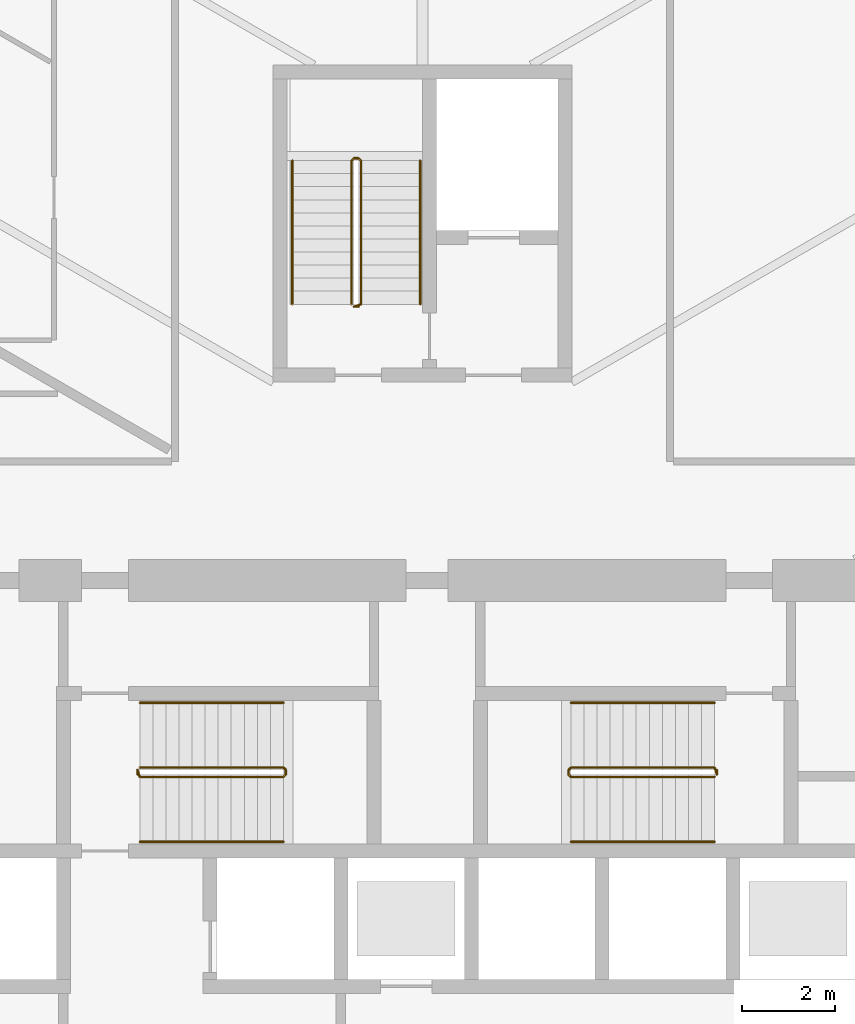
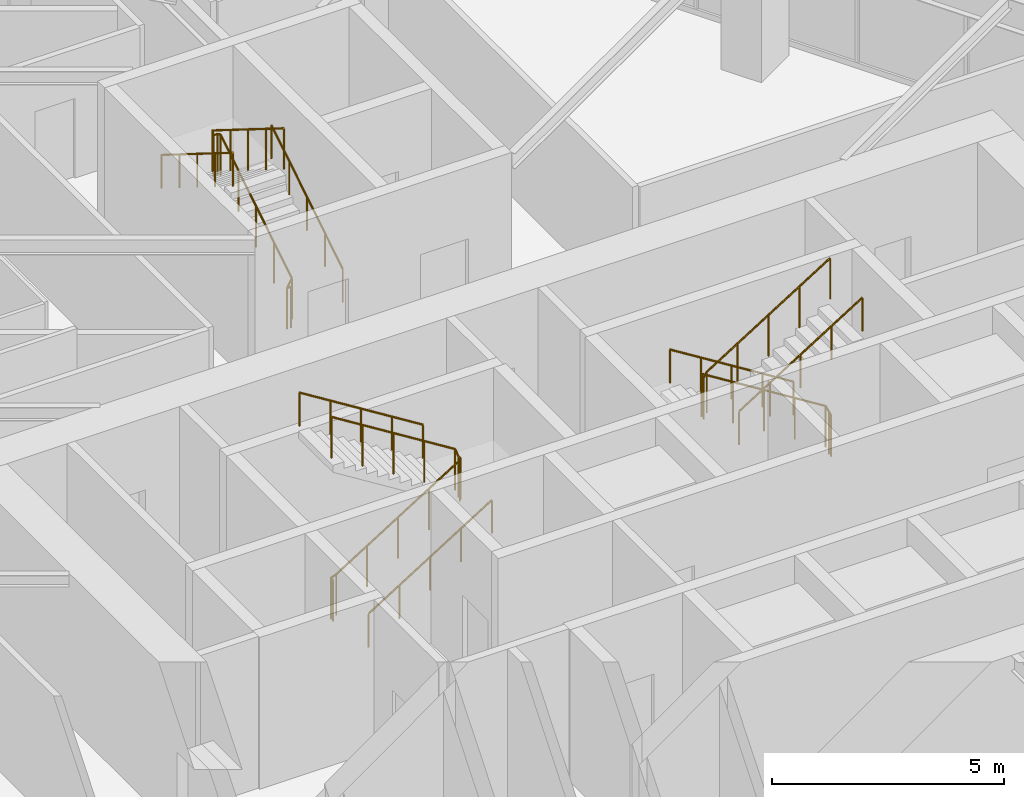
# One storey, part 25 of 26: 9 railings.
"""IFC4 building model written with IfcOpenShell, lengths in metres."""

from ifc_helpers import new_model, si_unit, direction, frame, origin, origin_2d, place, context, subcontext, project, spatial, circle, extrude, material, type_object, element, save


model = new_model("IFC4")

# Units and contexts
model_context = context("Model", 3, precision=1e-05, world=origin(), true_north=direction((0.0, 1.0)))
body_context = subcontext(model_context, "Body", "Model", "MODEL_VIEW")
ifc_project = project(units=[si_unit("LENGTHUNIT", "METRE"), si_unit("AREAUNIT", "SQUARE_METRE"), si_unit("VOLUMEUNIT", "CUBIC_METRE"), si_unit("PLANEANGLEUNIT", "RADIAN"), si_unit("MASSUNIT", "GRAM", prefix="KILO")], contexts=[model_context])

# Site, building, storey
site_placement = place(None, origin())
site = spatial("IfcSite", under=ifc_project, at=site_placement, CompositionType="ELEMENT")
building_placement = place(site_placement, origin())
building = spatial("IfcBuilding", under=site, at=building_placement, Name="Firuza Gate Tower and Library", CompositionType="ELEMENT")
storey_placement = place(building_placement, frame((0.0, 0.0, 77.800048828125)))
storey = spatial("IfcBuildingStorey", under=building, at=storey_placement, Name="L17", CompositionType="ELEMENT", Elevation=77.800048828125)

# Railings
ifc_material_1 = material(Name="Steel S355", Category="steel")
railing_type_1 = type_object("IfcRailingType", Name="Stair guard 1100", PredefinedType="GUARDRAIL", material=ifc_material_1)
railing_1_placement = place(storey_placement, frame((68.889892578125, 79.389892578125, 0.0)))
element("IfcRailing", 1, at=railing_1_placement, inside=storey, type_object=railing_type_1, Name="L17 ST1 stair guard 1", PredefinedType="GUARDRAIL", context=body_context, shape_type="SweptSolid", body=[
    extrude(circle(Radius=0.02392578125, at=origin_2d()), frame((0.0, 0.0, 1.076171875), z_axis=(0.0, 1.0, 0.0), x_axis=(-1.0, 0.0, 0.0)), (0.0, 0.0, 1.0), 0.10009765625),
    extrude(circle(Radius=0.02392578125, at=origin_2d()), frame((0.0, 0.10009765625, 1.076171875), z_axis=(0.21222055169, -0.635626432867, 0.742254319813), x_axis=(0.948528701346, 0.316691178788, 0.0)), (0.0, 0.0, 1.0), 0.23583984375),
    extrude(circle(Radius=0.02392578125, at=origin_2d()), frame((0.050048828125, -0.0498046875, 1.2509765625), z_axis=(0.848028513186, 0.0, 0.529950602248), x_axis=(0.0, 1.0, 0.0)), (0.0, 0.0, 1.0), 3.632080078125),
    extrude(circle(Radius=0.02392578125, at=origin_2d()), frame((3.130126953125, -0.0498046875, 3.17578125), z_axis=(0.708833529934, 0.705375805398, 0.0), x_axis=(-0.705375805398, 0.708833529934, 0.0)), (0.0, 0.0, 1.0), 0.070556640625),
    extrude(circle(Radius=0.02392578125, at=origin_2d()), frame((3.18017578125, 0.0, 3.17578125), z_axis=(0.0, 1.0, 0.0), x_axis=(-1.0, 0.0, 0.0)), (0.0, 0.0, 1.0), 0.10009765625),
    extrude(circle(Radius=0.02392578125, at=origin_2d()), frame((3.18017578125, 0.10009765625, 3.17578125), z_axis=(-0.265065253269, 0.265065253269, 0.927081885822), x_axis=(-0.707106781187, -0.707106781187, 0.0)), (0.0, 0.0, 1.0), 0.188720703125),
    extrude(circle(Radius=0.02392578125, at=origin_2d()), frame((3.130126953125, 0.150146484375, 3.35107421875), z_axis=(-0.847998304005, 0.0, 0.529998940003), x_axis=(0.0, -1.0, 0.0)), (0.0, 0.0, 1.0), 3.632080078125),
    extrude(circle(Radius=0.02099609375, at=origin_2d()), origin(), (0.0, 0.0, 1.0), 1.052001953125),
    extrude(circle(Radius=0.02099609375, at=origin_2d()), frame((0.0, 0.10009765625, 0.0)), (0.0, 0.0, 1.0), 1.052001953125),
    extrude(circle(Radius=0.02099609375, at=origin_2d()), frame((0.050048828125, -0.0498046875, 0.175048828125)), (0.0, 0.0, 1.0), 1.052001953125),
    extrude(circle(Radius=0.02099609375, at=origin_2d()), frame((0.820068359375, -0.0498046875, 0.65625)), (0.0, 0.0, 1.0), 1.052001953125),
    extrude(circle(Radius=0.02099609375, at=origin_2d()), frame((1.590087890625, -0.0498046875, 1.137451171875)), (0.0, 0.0, 1.0), 1.052001953125),
    extrude(circle(Radius=0.02099609375, at=origin_2d()), frame((2.360107421875, -0.0498046875, 1.61865234375)), (0.0, 0.0, 1.0), 1.052001953125),
    extrude(circle(Radius=0.02099609375, at=origin_2d()), frame((3.130126953125, -0.0498046875, 2.099853515625)), (0.0, 0.0, 1.0), 1.052001953125),
    extrude(circle(Radius=0.02099609375, at=origin_2d()), frame((3.18017578125, 0.0, 2.099853515625)), (0.0, 0.0, 1.0), 1.052001953125),
    extrude(circle(Radius=0.02099609375, at=origin_2d()), frame((3.18017578125, 0.10009765625, 2.099853515625)), (0.0, 0.0, 1.0), 1.052001953125),
    extrude(circle(Radius=0.02099609375, at=origin_2d()), frame((3.130126953125, 0.150146484375, 2.27490234375)), (0.0, 0.0, 1.0), 1.052001953125),
    extrude(circle(Radius=0.02099609375, at=origin_2d()), frame((2.360107421875, 0.150146484375, 2.756103515625)), (0.0, 0.0, 1.0), 1.052001953125),
    extrude(circle(Radius=0.02099609375, at=origin_2d()), frame((1.590087890625, 0.150146484375, 3.2373046875)), (0.0, 0.0, 1.0), 1.052001953125),
    extrude(circle(Radius=0.02099609375, at=origin_2d()), frame((0.820068359375, 0.150146484375, 3.71875)), (0.0, 0.0, 1.0), 1.052001953125),
    extrude(circle(Radius=0.02099609375, at=origin_2d()), frame((0.050048828125, 0.150146484375, 4.199951171875)), (0.0, 0.0, 1.0), 1.052001953125),
])
railing_2_placement = place(storey_placement, frame((81.31005859375, 79.489990234375, 0.0)))
element("IfcRailing", 2, at=railing_2_placement, inside=storey, type_object=railing_type_1, Name="L17 ST2 stair guard 1", PredefinedType="GUARDRAIL", context=body_context, shape_type="SweptSolid", body=[
    extrude(circle(Radius=0.02392578125, at=origin_2d()), frame((0.0, 0.0, 1.076171875), z_axis=(0.0, -1.0, 0.0), x_axis=(1.0, 0.0, 0.0)), (0.0, 0.0, 1.0), 0.10009765625),
    extrude(circle(Radius=0.02392578125, at=origin_2d()), frame((0.0, -0.10009765625, 1.076171875), z_axis=(-0.212080931658, 0.636242794973, 0.741765990237), x_axis=(-0.948683298051, -0.316227766017, 0.0)), (0.0, 0.0, 1.0), 0.236083984375),
    extrude(circle(Radius=0.02392578125, at=origin_2d()), frame((-0.050048828125, 0.050048828125, 1.2509765625), z_axis=(-0.848028513186, 0.0, 0.529950602248), x_axis=(0.0, -1.0, 0.0)), (0.0, 0.0, 1.0), 3.632080078125),
    extrude(circle(Radius=0.02392578125, at=origin_2d()), frame((-3.130126953125, 0.050048828125, 3.17578125), z_axis=(-0.707106781187, -0.707106781187, 0.0), x_axis=(0.707106781187, -0.707106781187, 0.0)), (0.0, 0.0, 1.0), 0.07080078125),
    extrude(circle(Radius=0.02392578125, at=origin_2d()), frame((-3.18017578125, 0.0, 3.17578125), z_axis=(0.0, -1.0, 0.0), x_axis=(1.0, 0.0, 0.0)), (0.0, 0.0, 1.0), 0.10009765625),
    extrude(circle(Radius=0.02392578125, at=origin_2d()), frame((-3.18017578125, -0.10009765625, 3.17578125), z_axis=(0.265155923931, -0.263862480399, 0.927399011991), x_axis=(0.705375805398, 0.708833529934, 0.0)), (0.0, 0.0, 1.0), 0.188720703125),
    extrude(circle(Radius=0.02392578125, at=origin_2d()), frame((-3.130126953125, -0.14990234375, 3.35107421875), z_axis=(0.847998304005, 0.0, 0.529998940003), x_axis=(0.0, 1.0, 0.0)), (0.0, 0.0, 1.0), 3.632080078125),
    extrude(circle(Radius=0.02099609375, at=origin_2d()), origin(), (0.0, 0.0, 1.0), 1.052001953125),
    extrude(circle(Radius=0.02099609375, at=origin_2d()), frame((0.0, -0.10009765625, 0.0)), (0.0, 0.0, 1.0), 1.052001953125),
    extrude(circle(Radius=0.02099609375, at=origin_2d()), frame((-0.050048828125, 0.050048828125, 0.175048828125)), (0.0, 0.0, 1.0), 1.052001953125),
    extrude(circle(Radius=0.02099609375, at=origin_2d()), frame((-0.820068359375, 0.050048828125, 0.65625)), (0.0, 0.0, 1.0), 1.052001953125),
    extrude(circle(Radius=0.02099609375, at=origin_2d()), frame((-1.590087890625, 0.050048828125, 1.137451171875)), (0.0, 0.0, 1.0), 1.052001953125),
    extrude(circle(Radius=0.02099609375, at=origin_2d()), frame((-2.360107421875, 0.050048828125, 1.61865234375)), (0.0, 0.0, 1.0), 1.052001953125),
    extrude(circle(Radius=0.02099609375, at=origin_2d()), frame((-3.130126953125, 0.050048828125, 2.099853515625)), (0.0, 0.0, 1.0), 1.052001953125),
    extrude(circle(Radius=0.02099609375, at=origin_2d()), frame((-3.18017578125, 0.0, 2.099853515625)), (0.0, 0.0, 1.0), 1.052001953125),
    extrude(circle(Radius=0.02099609375, at=origin_2d()), frame((-3.18017578125, -0.10009765625, 2.099853515625)), (0.0, 0.0, 1.0), 1.052001953125),
    extrude(circle(Radius=0.02099609375, at=origin_2d()), frame((-3.130126953125, -0.14990234375, 2.27490234375)), (0.0, 0.0, 1.0), 1.052001953125),
    extrude(circle(Radius=0.02099609375, at=origin_2d()), frame((-2.360107421875, -0.14990234375, 2.756103515625)), (0.0, 0.0, 1.0), 1.052001953125),
    extrude(circle(Radius=0.02099609375, at=origin_2d()), frame((-1.590087890625, -0.14990234375, 3.2373046875)), (0.0, 0.0, 1.0), 1.052001953125),
    extrude(circle(Radius=0.02099609375, at=origin_2d()), frame((-0.820068359375, -0.14990234375, 3.71875)), (0.0, 0.0, 1.0), 1.052001953125),
    extrude(circle(Radius=0.02099609375, at=origin_2d()), frame((-0.050048828125, -0.14990234375, 4.199951171875)), (0.0, 0.0, 1.0), 1.052001953125),
])
railing_3_placement = place(storey_placement, frame((73.6298828125, 89.419921875, 0.0)))
element("IfcRailing", 3, at=railing_3_placement, inside=storey, type_object=railing_type_1, Name="L17 ST3 stair guard 1", PredefinedType="GUARDRAIL", context=body_context, shape_type="SweptSolid", body=[
    extrude(circle(Radius=0.02392578125, at=origin_2d()), frame((0.0, 0.0, 1.076171875), z_axis=(-1.0, 0.0, 0.0), x_axis=(0.0, -1.0, 0.0)), (0.0, 0.0, 1.0), 0.099853515625),
    extrude(circle(Radius=0.02392578125, at=origin_2d()), frame((-0.099853515625, 0.0, 1.076171875), z_axis=(0.635626432867, 0.21222055169, 0.742254319813), x_axis=(-0.316691178788, 0.948528701346, 0.0)), (0.0, 0.0, 1.0), 0.23583984375),
    extrude(circle(Radius=0.02392578125, at=origin_2d()), frame((0.050048828125, 0.050048828125, 1.2509765625), z_axis=(0.0, 0.848028513186, 0.529950602248), x_axis=(-1.0, 0.0, 0.0)), (0.0, 0.0, 1.0), 3.632080078125),
    extrude(circle(Radius=0.02392578125, at=origin_2d()), frame((0.050048828125, 3.130126953125, 3.17578125), z_axis=(-0.707106781187, 0.707106781187, 0.0), x_axis=(-0.707106781187, -0.707106781187, 0.0)), (0.0, 0.0, 1.0), 0.07080078125),
    extrude(circle(Radius=0.02392578125, at=origin_2d()), frame((0.0, 3.18017578125, 3.17578125), z_axis=(-1.0, 0.0, 0.0), x_axis=(0.0, -1.0, 0.0)), (0.0, 0.0, 1.0), 0.099853515625),
    extrude(circle(Radius=0.02392578125, at=origin_2d()), frame((-0.099853515625, 3.18017578125, 3.17578125), z_axis=(-0.265065253269, -0.265065253269, 0.927081885822), x_axis=(0.707106781187, -0.707106781187, 0.0)), (0.0, 0.0, 1.0), 0.188720703125),
    extrude(circle(Radius=0.02392578125, at=origin_2d()), frame((-0.14990234375, 3.130126953125, 3.35107421875), z_axis=(0.0, -0.847998304005, 0.529998940003), x_axis=(1.0, 0.0, 0.0)), (0.0, 0.0, 1.0), 3.632080078125),
    extrude(circle(Radius=0.02099609375, at=origin_2d()), origin(), (0.0, 0.0, 1.0), 1.052001953125),
    extrude(circle(Radius=0.02099609375, at=origin_2d()), frame((-0.099853515625, 0.0, 0.0)), (0.0, 0.0, 1.0), 1.052001953125),
    extrude(circle(Radius=0.02099609375, at=origin_2d()), frame((0.050048828125, 0.050048828125, 0.175048828125)), (0.0, 0.0, 1.0), 1.052001953125),
    extrude(circle(Radius=0.02099609375, at=origin_2d()), frame((0.050048828125, 0.820068359375, 0.65625)), (0.0, 0.0, 1.0), 1.052001953125),
    extrude(circle(Radius=0.02099609375, at=origin_2d()), frame((0.050048828125, 1.590087890625, 1.137451171875)), (0.0, 0.0, 1.0), 1.052001953125),
    extrude(circle(Radius=0.02099609375, at=origin_2d()), frame((0.050048828125, 2.360107421875, 1.61865234375)), (0.0, 0.0, 1.0), 1.052001953125),
    extrude(circle(Radius=0.02099609375, at=origin_2d()), frame((0.050048828125, 3.130126953125, 2.099853515625)), (0.0, 0.0, 1.0), 1.052001953125),
    extrude(circle(Radius=0.02099609375, at=origin_2d()), frame((0.0, 3.18017578125, 2.099853515625)), (0.0, 0.0, 1.0), 1.052001953125),
    extrude(circle(Radius=0.02099609375, at=origin_2d()), frame((-0.099853515625, 3.18017578125, 2.099853515625)), (0.0, 0.0, 1.0), 1.052001953125),
    extrude(circle(Radius=0.02099609375, at=origin_2d()), frame((-0.14990234375, 3.130126953125, 2.27490234375)), (0.0, 0.0, 1.0), 1.052001953125),
    extrude(circle(Radius=0.02099609375, at=origin_2d()), frame((-0.14990234375, 2.360107421875, 2.756103515625)), (0.0, 0.0, 1.0), 1.052001953125),
    extrude(circle(Radius=0.02099609375, at=origin_2d()), frame((-0.14990234375, 1.590087890625, 3.2373046875)), (0.0, 0.0, 1.0), 1.052001953125),
    extrude(circle(Radius=0.02099609375, at=origin_2d()), frame((-0.14990234375, 0.820068359375, 3.71875)), (0.0, 0.0, 1.0), 1.052001953125),
    extrude(circle(Radius=0.02099609375, at=origin_2d()), frame((-0.14990234375, 0.050048828125, 4.199951171875)), (0.0, 0.0, 1.0), 1.052001953125),
])
ifc_material_2 = material(Name="Steel S355", Category="steel")
railing_type_2 = type_object("IfcRailingType", Name="Stair handrail 900", PredefinedType="HANDRAIL", material=ifc_material_2)
railing_4_placement = place(storey_placement, frame((68.93994140625, 77.949951171875, 0.175048828125)))
element("IfcRailing", 4, at=railing_4_placement, inside=storey, type_object=railing_type_2, Name="L17 ST1 stair handrail 1", PredefinedType="HANDRAIL", context=body_context, shape_type="SweptSolid", body=[
    extrude(circle(Radius=0.02392578125, at=origin_2d()), frame((0.0, 0.0, 0.8759765625), z_axis=(0.848028513186, 0.0, 0.529950602248), x_axis=(0.0, 1.0, 0.0)), (0.0, 0.0, 1.0), 3.632080078125),
    extrude(circle(Radius=0.02099609375, at=origin_2d()), origin(), (0.0, 0.0, 1.0), 0.851806640625),
    extrude(circle(Radius=0.02099609375, at=origin_2d()), frame((0.77001953125, 0.0, 0.481201171875)), (0.0, 0.0, 1.0), 0.851806640625),
    extrude(circle(Radius=0.02099609375, at=origin_2d()), frame((1.5400390625, 0.0, 0.96240234375)), (0.0, 0.0, 1.0), 0.851806640625),
    extrude(circle(Radius=0.02099609375, at=origin_2d()), frame((2.31005859375, 0.0, 1.443603515625)), (0.0, 0.0, 1.0), 0.851806640625),
    extrude(circle(Radius=0.02099609375, at=origin_2d()), frame((3.080078125, 0.0, 1.9248046875)), (0.0, 0.0, 1.0), 0.851806640625),
])
railing_5_placement = place(storey_placement, frame((72.02001953125, 80.929931640625, 2.27490234375)))
element("IfcRailing", 5, at=railing_5_placement, inside=storey, type_object=railing_type_2, Name="L17 ST1 stair handrail 2", PredefinedType="HANDRAIL", context=body_context, shape_type="SweptSolid", body=[
    extrude(circle(Radius=0.02392578125, at=origin_2d()), frame((0.0, 0.0, 0.8759765625), z_axis=(-0.847998304005, 0.0, 0.529998940003), x_axis=(0.0, -1.0, 0.0)), (0.0, 0.0, 1.0), 3.632080078125),
    extrude(circle(Radius=0.02099609375, at=origin_2d()), origin(), (0.0, 0.0, 1.0), 0.851806640625),
    extrude(circle(Radius=0.02099609375, at=origin_2d()), frame((-0.77001953125, 0.0, 0.481201171875)), (0.0, 0.0, 1.0), 0.851806640625),
    extrude(circle(Radius=0.02099609375, at=origin_2d()), frame((-1.5400390625, 0.0, 0.96240234375)), (0.0, 0.0, 1.0), 0.851806640625),
    extrude(circle(Radius=0.02099609375, at=origin_2d()), frame((-2.31005859375, 0.0, 1.44384765625)), (0.0, 0.0, 1.0), 0.851806640625),
    extrude(circle(Radius=0.02099609375, at=origin_2d()), frame((-3.080078125, 0.0, 1.925048828125)), (0.0, 0.0, 1.0), 0.851806640625),
])
railing_6_placement = place(storey_placement, frame((81.260009765625, 80.929931640625, 0.175048828125)))
element("IfcRailing", 6, at=railing_6_placement, inside=storey, type_object=railing_type_2, Name="L17 ST2 stair handrail 1", PredefinedType="HANDRAIL", context=body_context, shape_type="SweptSolid", body=[
    extrude(circle(Radius=0.02392578125, at=origin_2d()), frame((0.0, 0.0, 0.8759765625), z_axis=(-0.848028513186, 0.0, 0.529950602248), x_axis=(0.0, -1.0, 0.0)), (0.0, 0.0, 1.0), 3.632080078125),
    extrude(circle(Radius=0.02099609375, at=origin_2d()), origin(), (0.0, 0.0, 1.0), 0.851806640625),
    extrude(circle(Radius=0.02099609375, at=origin_2d()), frame((-0.77001953125, 0.0, 0.481201171875)), (0.0, 0.0, 1.0), 0.851806640625),
    extrude(circle(Radius=0.02099609375, at=origin_2d()), frame((-1.5400390625, 0.0, 0.96240234375)), (0.0, 0.0, 1.0), 0.851806640625),
    extrude(circle(Radius=0.02099609375, at=origin_2d()), frame((-2.31005859375, 0.0, 1.443603515625)), (0.0, 0.0, 1.0), 0.851806640625),
    extrude(circle(Radius=0.02099609375, at=origin_2d()), frame((-3.080078125, 0.0, 1.9248046875)), (0.0, 0.0, 1.0), 0.851806640625),
])
railing_7_placement = place(storey_placement, frame((78.179931640625, 77.949951171875, 2.27490234375)))
element("IfcRailing", 7, at=railing_7_placement, inside=storey, type_object=railing_type_2, Name="L17 ST2 stair handrail 2", PredefinedType="HANDRAIL", context=body_context, shape_type="SweptSolid", body=[
    extrude(circle(Radius=0.02392578125, at=origin_2d()), frame((0.0, 0.0, 0.8759765625), z_axis=(0.847998304005, 0.0, 0.529998940003), x_axis=(0.0, 1.0, 0.0)), (0.0, 0.0, 1.0), 3.632080078125),
    extrude(circle(Radius=0.02099609375, at=origin_2d()), origin(), (0.0, 0.0, 1.0), 0.851806640625),
    extrude(circle(Radius=0.02099609375, at=origin_2d()), frame((0.77001953125, 0.0, 0.481201171875)), (0.0, 0.0, 1.0), 0.851806640625),
    extrude(circle(Radius=0.02099609375, at=origin_2d()), frame((1.5400390625, 0.0, 0.96240234375)), (0.0, 0.0, 1.0), 0.851806640625),
    extrude(circle(Radius=0.02099609375, at=origin_2d()), frame((2.31005859375, 0.0, 1.44384765625)), (0.0, 0.0, 1.0), 0.851806640625),
    extrude(circle(Radius=0.02099609375, at=origin_2d()), frame((3.080078125, 0.0, 1.925048828125)), (0.0, 0.0, 1.0), 0.851806640625),
])
railing_8_placement = place(storey_placement, frame((74.949951171875, 89.469970703125, 0.175048828125)))
element("IfcRailing", 8, at=railing_8_placement, inside=storey, type_object=railing_type_2, Name="L17 ST3 stair handrail 1", PredefinedType="HANDRAIL", context=body_context, shape_type="SweptSolid", body=[
    extrude(circle(Radius=0.02392578125, at=origin_2d()), frame((0.0, 0.0, 0.8759765625), z_axis=(0.0, 0.848028513186, 0.529950602248), x_axis=(-1.0, 0.0, 0.0)), (0.0, 0.0, 1.0), 3.632080078125),
    extrude(circle(Radius=0.02099609375, at=origin_2d()), origin(), (0.0, 0.0, 1.0), 0.851806640625),
    extrude(circle(Radius=0.02099609375, at=origin_2d()), frame((0.0, 0.77001953125, 0.481201171875)), (0.0, 0.0, 1.0), 0.851806640625),
    extrude(circle(Radius=0.02099609375, at=origin_2d()), frame((0.0, 1.5400390625, 0.96240234375)), (0.0, 0.0, 1.0), 0.851806640625),
    extrude(circle(Radius=0.02099609375, at=origin_2d()), frame((0.0, 2.31005859375, 1.443603515625)), (0.0, 0.0, 1.0), 0.851806640625),
    extrude(circle(Radius=0.02099609375, at=origin_2d()), frame((0.0, 3.080078125, 1.9248046875)), (0.0, 0.0, 1.0), 0.851806640625),
])
railing_9_placement = place(storey_placement, frame((72.2099609375, 92.550048828125, 2.27490234375)))
element("IfcRailing", 9, at=railing_9_placement, inside=storey, type_object=railing_type_2, Name="L17 ST3 stair handrail 2", PredefinedType="HANDRAIL", context=body_context, shape_type="SweptSolid", body=[
    extrude(circle(Radius=0.02392578125, at=origin_2d()), frame((0.0, 0.0, 0.8759765625), z_axis=(0.0, -0.847998304005, 0.529998940003), x_axis=(1.0, 0.0, 0.0)), (0.0, 0.0, 1.0), 3.632080078125),
    extrude(circle(Radius=0.02099609375, at=origin_2d()), origin(), (0.0, 0.0, 1.0), 0.851806640625),
    extrude(circle(Radius=0.02099609375, at=origin_2d()), frame((0.0, -0.77001953125, 0.481201171875)), (0.0, 0.0, 1.0), 0.851806640625),
    extrude(circle(Radius=0.02099609375, at=origin_2d()), frame((0.0, -1.5400390625, 0.96240234375)), (0.0, 0.0, 1.0), 0.851806640625),
    extrude(circle(Radius=0.02099609375, at=origin_2d()), frame((0.0, -2.31005859375, 1.44384765625)), (0.0, 0.0, 1.0), 0.851806640625),
    extrude(circle(Radius=0.02099609375, at=origin_2d()), frame((0.0, -3.080078125, 1.925048828125)), (0.0, 0.0, 1.0), 0.851806640625),
])

save(model, "model.ifc")
